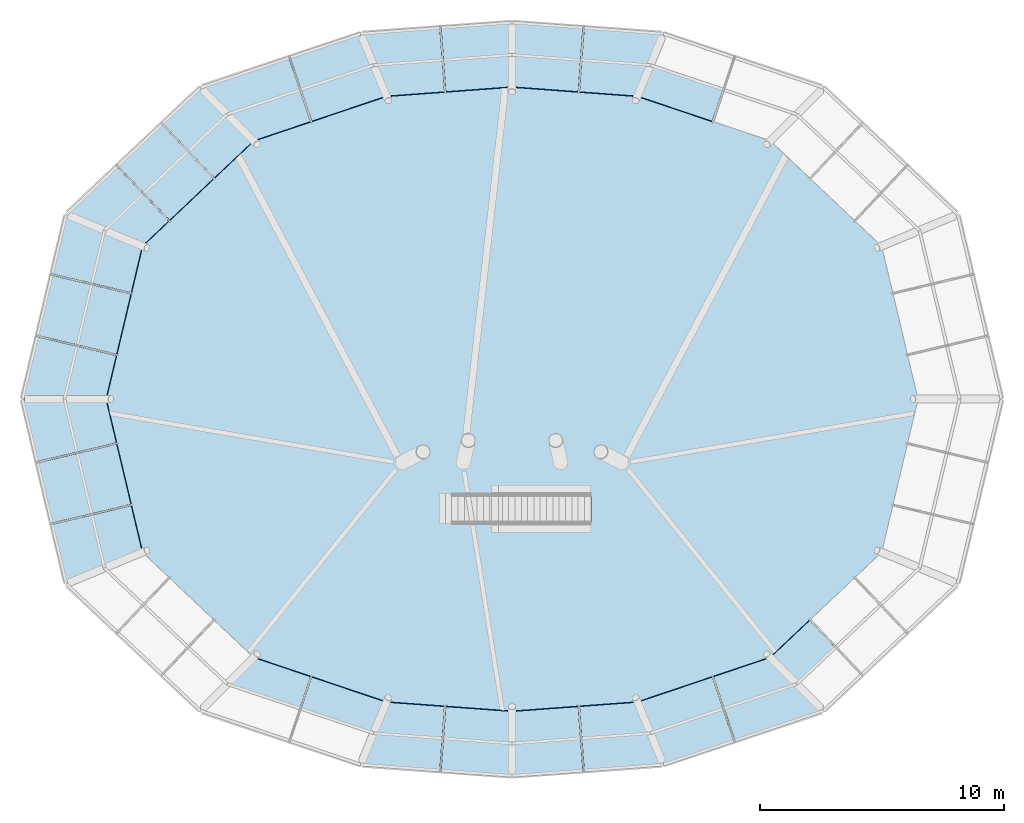
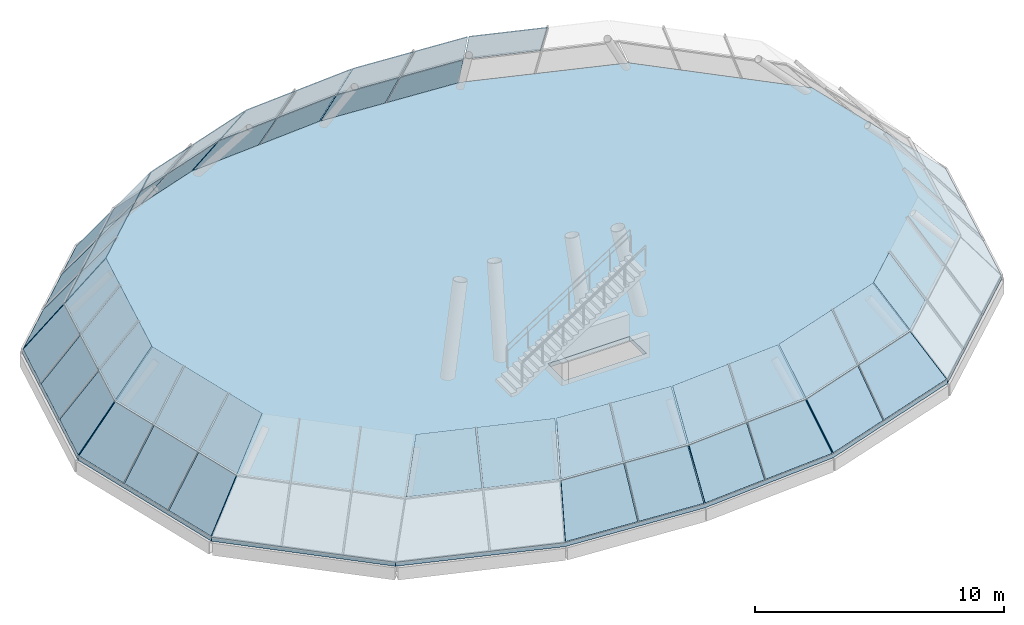
# One storey, part 3 of 5: 46 plates, 1 slab, 12 elements without a shape of their own.
"""IFC4 building model written with IfcOpenShell, lengths in metres."""

from ifc_helpers import new_model, si_unit, direction, frame, origin, place, context, subcontext, project, spatial, polyline, outline, extrude, material, layer, layer_set, type_object, element, aggregate, save


model = new_model("IFC4")

# Units and contexts
model_context = context("Model", 3, precision=1e-05, world=origin(), true_north=direction((0.0, 1.0)))
body_context = subcontext(model_context, "Body", "Model", "MODEL_VIEW")
ifc_project = project(units=[si_unit("LENGTHUNIT", "METRE"), si_unit("AREAUNIT", "SQUARE_METRE"), si_unit("VOLUMEUNIT", "CUBIC_METRE"), si_unit("PLANEANGLEUNIT", "RADIAN"), si_unit("MASSUNIT", "GRAM", prefix="KILO")], contexts=[model_context])

# Site, building, storey
site_placement = place(None, origin())
site = spatial("IfcSite", under=ifc_project, at=site_placement, CompositionType="ELEMENT")
building_placement = place(site_placement, origin())
building = spatial("IfcBuilding", under=site, at=building_placement, Name="Rubra Terraces Tower", CompositionType="ELEMENT")
storey_placement = place(building_placement, frame((0.0, 0.0, 320.39990234375)))
storey = spatial("IfcBuildingStorey", under=building, at=storey_placement, Name="L79", CompositionType="ELEMENT", Elevation=320.39990234375)

# Curtain wall, plate
ifc_material_1 = material(Name="Aluminium and glass", Category="aluminium")
curtain_wall_type = type_object("IfcCurtainWallType", Name="Curtain wall Crown glazing", PredefinedType="NOTDEFINED", material=ifc_material_1)
curtain_wall_1_placement = place(storey_placement, origin())
curtain_wall_1 = element("IfcCurtainWall", 1, at=curtain_wall_1_placement, inside=storey, type_object=curtain_wall_type, Name="Crown glazing L79 facet 3", PredefinedType="NOTDEFINED")
ifc_material_2 = material(Name="Clear glass, laminated", Category="glass")
ifc_layer_1 = layer(ifc_material_2, 0.028076171875)
ifc_layer_set_1 = layer_set([ifc_layer_1], Name="Clear glass, laminated")
plate_type = type_object("IfcPlateType", Name="Crown glazing glass panel 28", PredefinedType="CURTAIN_PANEL", material=ifc_layer_set_1)
plate_1_placement = place(storey_placement, frame((8.654541015625, 12.699951171875, 2.124267578125), z_axis=(0.265873405433, 0.7905624859, 0.55165413818), x_axis=(-0.947831075043, 0.318773043127, -1.2568954e-05)))
plate_1 = element("IfcPlate", 2, at=plate_1_placement, type_object=plate_type, Name="Crown glazing L79 facet 3 panel 2.2", PredefinedType="CURTAIN_PANEL", context=body_context, shape_type="SweptSolid", body=[
    extrude(outline(polyline([(0.0, 0.0), (3.113110056953987, 0.0), (3.205560927415248, 2.4599743524555526), (3.77549544849773e-05, 2.4598791346340434), (0.0, 0.0)])), origin(), (0.0, 0.0, -1.0), 0.028076171875),
])
aggregate(curtain_wall_1, [plate_1])

# Curtain wall, plates
curtain_wall_2_placement = place(storey_placement, origin())
curtain_wall_2 = element("IfcCurtainWall", 3, at=curtain_wall_2_placement, inside=storey, type_object=curtain_wall_type, Name="Crown glazing L79 facet 4", PredefinedType="NOTDEFINED")
plate_2_placement = place(storey_placement, frame((6.177734375, 14.989990234375, 0.025146484375), z_axis=(0.062459485352, 0.843890175302, 0.532867886739), x_axis=(-0.997272746356, 0.073804262949, 1.2104491e-05)))
plate_2 = element("IfcPlate", 4, at=plate_2_placement, type_object=plate_type, Name="Crown glazing L79 facet 4 panel 1.1", PredefinedType="CURTAIN_PANEL", context=body_context, shape_type="SweptSolid", body=[
    extrude(outline(polyline([(0.0, 0.0), (3.2194691003843943, 0.0), (3.219436906527069, 2.4226112217964824), (0.4256768519361816, 2.4226972383562213), (0.0, 0.0)])), origin(), (0.0, 0.0, -1.0), 0.028076171875),
])
plate_3_placement = place(storey_placement, frame((5.645263671875, 13.703369140625, 2.125), z_axis=(0.06244837314, 0.843937119899, 0.532794837014), x_axis=(-0.997274075278, 0.073786303602, 1.3406711e-05)))
plate_3 = element("IfcPlate", 5, at=plate_3_placement, type_object=plate_type, Name="Crown glazing L79 facet 4 panel 1.2", PredefinedType="CURTAIN_PANEL", context=body_context, shape_type="SweptSolid", body=[
    extrude(outline(polyline([(0.0, 0.0), (2.7834620403410297, -2.7755575615628914e-17), (2.783473776894464, 2.4224814967996213), (0.42572078532516233, 2.4225629470063192), (0.0, 0.0)])), origin(), (0.0, 0.0, -1.0), 0.028076171875),
])
plate_4_placement = place(storey_placement, frame((2.9072265625, 15.23193359375, 0.025146484375), z_axis=(0.062504398309, 0.843900385325, 0.532846450527), x_axis=(-0.997268240241, 0.073865127106, -2.17308e-06)))
plate_4 = element("IfcPlate", 6, at=plate_4_placement, type_object=plate_type, Name="Crown glazing L79 facet 4 panel 2.1", PredefinedType="CURTAIN_PANEL", context=body_context, shape_type="SweptSolid", body=[
    extrude(outline(polyline([(0.0, 0.0), (2.885324154160419, 2.7755575615628914e-17), (2.789706197306331, 2.422625792918463), (-0.00014024631210346635, 2.422611219026193), (0.0, 0.0)])), origin(), (0.0, 0.0, -1.0), 0.028076171875),
])
plate_5_placement = place(storey_placement, frame((2.809814453125, 13.913330078125, 2.125), z_axis=(0.062437603123, 0.843925646557, 0.53281427233), x_axis=(-0.997275163911, 0.073771587431, 1.8273287e-05)))
plate_5 = element("IfcPlate", 7, at=plate_5_placement, type_object=plate_type, Name="Crown glazing L79 facet 4 panel 2.2", PredefinedType="CURTAIN_PANEL", context=body_context, shape_type="SweptSolid", body=[
    extrude(outline(polyline([(0.0, 0.0), (2.787619132830344, -2.7755575615628914e-17), (2.6921821835669806, 2.422502490783431), (0.000266222986960197, 2.422620814236498), (0.0, 0.0)])), origin(), (0.0, 0.0, -1.0), 0.028076171875),
])
aggregate(curtain_wall_2, [plate_2, plate_3, plate_4, plate_5])

curtain_wall_3_placement = place(storey_placement, origin())
curtain_wall_3 = element("IfcCurtainWall", 8, at=curtain_wall_3_placement, inside=storey, type_object=curtain_wall_type, Name="Crown glazing L79 facet 5", PredefinedType="NOTDEFINED")
plate_6_placement = place(storey_placement, frame((-0.02978515625, 15.44482421875, 0.025390625), z_axis=(-0.062504752475, 0.843905167082, 0.532838835757), x_axis=(-0.997268240244, -0.073865127067, 2.173062e-06)))
plate_6 = element("IfcPlate", 9, at=plate_6_placement, type_object=plate_type, Name="Crown glazing L79 facet 5 panel 1.1", PredefinedType="CURTAIN_PANEL", context=body_context, shape_type="SweptSolid", body=[
    extrude(outline(polyline([(0.0, 0.0), (2.885324154160419, 1.3877787807814457e-17), (2.8854283318354415, 2.421731966970606), (0.0955818882170063, 2.4217465406546044), (0.0, 0.0)])), origin(), (0.0, 0.0, -1.0), 0.028076171875),
])
plate_7_placement = place(storey_placement, frame((-0.02978515625, 14.118896484375, 2.12548828125), z_axis=(-0.062473811844, 0.843905449909, 0.532842016406), x_axis=(-0.997270985927, -0.073828047704, 1.073267e-06)))
plate_7 = element("IfcPlate", 10, at=plate_7_placement, type_object=plate_type, Name="Crown glazing L79 facet 5 panel 1.2", PredefinedType="CURTAIN_PANEL", context=body_context, shape_type="SweptSolid", body=[
    extrude(outline(polyline([(0.0, 0.0), (2.787637148672109, -1.3877787807814457e-17), (2.7874476205837735, 2.421741572941655), (0.09553165572043543, 2.4217485227392874), (0.0, 0.0)])), origin(), (0.0, 0.0, -1.0), 0.028076171875),
])
plate_8_placement = place(storey_placement, frame((-2.967041015625, 15.227294921875, 0.025390625), z_axis=(-0.062462483104, 0.84389632013, 0.532857803805), x_axis=(-0.997272470695, -0.073807987877, -1.0932532e-05)))
plate_8 = element("IfcPlate", 11, at=plate_8_placement, type_object=plate_type, Name="Crown glazing L79 facet 5 panel 2.1", PredefinedType="CURTAIN_PANEL", context=body_context, shape_type="SweptSolid", body=[
    extrude(outline(polyline([(0.0, 0.0), (3.2192256254499596, 5.551115123125783e-17), (2.79376344194015, 2.421809653025454), (3.386928690577935e-06, 2.4217319683369056), (0.0, 0.0)])), origin(), (0.0, 0.0, -1.0), 0.028076171875),
])
plate_9_placement = place(storey_placement, frame((-2.869384765625, 13.90869140625, 2.12548828125), z_axis=(-0.062448453549, 0.843898020935, 0.53285675459), x_axis=(-0.997271921248, -0.073815407211, 2.737473e-05)))
plate_9 = element("IfcPlate", 12, at=plate_9_placement, type_object=plate_type, Name="Crown glazing L79 facet 5 panel 2.2", PredefinedType="CURTAIN_PANEL", context=body_context, shape_type="SweptSolid", body=[
    extrude(outline(polyline([(0.0, 0.0), (2.783236583382748, 0.0), (2.3578444835158074, 2.421695393025561), (0.000109511965523893, 2.4218617033536733), (0.0, 0.0)])), origin(), (0.0, 0.0, -1.0), 0.028076171875),
])
aggregate(curtain_wall_3, [plate_6, plate_7, plate_8, plate_9])

curtain_wall_4_placement = place(storey_placement, origin())
curtain_wall_4 = element("IfcCurtainWall", 13, at=curtain_wall_4_placement, inside=storey, type_object=curtain_wall_type, Name="Crown glazing L79 facet 6", PredefinedType="NOTDEFINED")
plate_10_placement = place(storey_placement, frame((-6.236083984375, 14.97802734375, 0.025146484375), z_axis=(-0.26588062941, 0.790565470129, 0.551646379798), x_axis=(-0.94783369714, -0.318765246624, -1.0555518e-05)))
plate_10 = element("IfcPlate", 14, at=plate_10_placement, type_object=plate_type, Name="Crown glazing L79 facet 6 panel 1.1", PredefinedType="CURTAIN_PANEL", context=body_context, shape_type="SweptSolid", body=[
    extrude(outline(polyline([(0.0, 0.0), (3.018534407647497, 0.0), (3.0183581737383376, 2.45790016108879), (-0.09243576965561436, 2.457822592528352), (0.0, 0.0)])), origin(), (0.0, 0.0, -1.0), 0.028076171875),
])
plate_11_placement = place(storey_placement, frame((-5.70361328125, 13.69189453125, 2.125), z_axis=(-0.265870478274, 0.790553782127, 0.551668021863), x_axis=(-0.94783107491, -0.318773043524, 1.2569132e-05)))
plate_11 = element("IfcPlate", 15, at=plate_11_placement, type_object=plate_type, Name="Crown glazing L79 facet 6 panel 1.2", PredefinedType="CURTAIN_PANEL", context=body_context, shape_type="SweptSolid", body=[
    extrude(outline(polyline([(0.0, 0.0), (3.1131100569540044, 0.0), (3.1132237877937015, 2.457857229023278), (-0.09229938466700746, 2.4579524492411684), (0.0, 0.0)])), origin(), (0.0, 0.0, -1.0), 0.028076171875),
])
plate_12_placement = place(storey_placement, frame((-9.15380859375, 13.996826171875, 0.025146484375), z_axis=(-0.265869351117, 0.790568862598, 0.551646953792), x_axis=(-0.947836241664, -0.318757680671, -1.286119e-06)))
plate_12 = element("IfcPlate", 16, at=plate_12_placement, type_object=plate_type, Name="Crown glazing L79 facet 6 panel 2.1", PredefinedType="CURTAIN_PANEL", context=body_context, shape_type="SweptSolid", body=[
    extrude(outline(polyline([(0.0, 0.0), (3.7935886131810843, -1.1102230246251565e-16), (3.1203531509623006, 2.4578678928030397), (6.33505300694738e-05, 2.457857231845669), (0.0, 0.0)])), origin(), (0.0, 0.0, -1.0), 0.028076171875),
])
plate_13_placement = place(storey_placement, frame((-8.711181640625, 12.680419921875, 2.125), z_axis=(-0.265865207874, 0.790531394461, 0.551702642385), x_axis=(-0.947829722461, -0.318777064719, 1.5101075e-05)))
plate_13 = element("IfcPlate", 17, at=plate_13_placement, type_object=plate_type, Name="Crown glazing L79 facet 6 panel 2.2", PredefinedType="CURTAIN_PANEL", context=body_context, shape_type="SweptSolid", body=[
    extrude(outline(polyline([(0.0, 0.0), (3.103845605216057, 1.1102230246251565e-16), (2.4304400631077945, 2.4579276246279744), (-2.8903566611822224e-05, 2.458027828468654), (0.0, 0.0)])), origin(), (0.0, 0.0, -1.0), 0.028076171875),
])
aggregate(curtain_wall_4, [plate_10, plate_11, plate_12, plate_13])

curtain_wall_5_placement = place(storey_placement, origin())
curtain_wall_5 = element("IfcCurtainWall", 18, at=curtain_wall_5_placement, inside=storey, type_object=curtain_wall_type, Name="Crown glazing L79 facet 7", PredefinedType="NOTDEFINED")
plate_14_placement = place(storey_placement, frame((-12.80029296875, 12.7578125, 0.024169921875), z_axis=(-0.552729231295, 0.584586290115, 0.593926987332), x_axis=(-0.726617321913, -0.687042405548, 2.1782516e-05)))
plate_14 = element("IfcPlate", 19, at=plate_14_placement, type_object=plate_type, Name="Crown glazing L79 facet 7 panel 1.1", PredefinedType="CURTAIN_PANEL", context=body_context, shape_type="SweptSolid", body=[
    extrude(outline(polyline([(0.0, 0.0), (2.099698539799522, 1.1102230246251565e-16), (2.099827250366498, 2.550234627945522), (-0.0423611444484513, 2.5503494779077482), (0.0, 0.0)])), origin(), (0.0, 0.0, -1.0), 0.028076171875),
])
plate_15_placement = place(storey_placement, frame((-11.70361328125, 11.6611328125, 2.124267578125), z_axis=(-0.552685564063, 0.584627985629, 0.593926582749), x_axis=(-0.7266692843, -0.686987445893, 2.0984688e-05)))
plate_15 = element("IfcPlate", 20, at=plate_15_placement, type_object=plate_type, Name="Crown glazing L79 facet 7 panel 1.2", PredefinedType="CURTAIN_PANEL", context=body_context, shape_type="SweptSolid", body=[
    extrude(outline(polyline([(0.0, 0.0), (2.1432237916822023, 1.1102230246251565e-16), (2.1432363091917948, 2.5502346312012274), (-0.04247735191603371, 2.550347545099179), (0.0, 0.0)])), origin(), (0.0, 0.0, -1.0), 0.028076171875),
])
plate_16_placement = place(storey_placement, frame((-14.36962890625, 11.274169921875, 0.024169921875), z_axis=(-0.552689645949, 0.58460390155, 0.59394649048), x_axis=(-0.726662790219, -0.68699431534, 9.37526e-07)))
plate_16 = element("IfcPlate", 21, at=plate_16_placement, type_object=plate_type, Name="Crown glazing L79 facet 7 panel 2.1", PredefinedType="CURTAIN_PANEL", context=body_context, shape_type="SweptSolid", body=[
    extrude(outline(polyline([(0.0, 0.0), (2.4680762639133387, 0.0), (2.467884559280071, 2.550334247289919), (0.000153426496019425, 2.5503399992150153), (0.0, 0.0)])), origin(), (0.0, 0.0, -1.0), 0.028076171875),
])
plate_17_placement = place(storey_placement, frame((-13.3046875, 10.1474609375, 2.124267578125), z_axis=(-0.552689645949, 0.58460390155, 0.59394649048), x_axis=(-0.726663741296, -0.686993309345, -9.37658e-07)))
plate_17 = element("IfcPlate", 22, at=plate_17_placement, type_object=plate_type, Name="Crown glazing L79 facet 7 panel 2.2", PredefinedType="CURTAIN_PANEL", context=body_context, shape_type="SweptSolid", body=[
    extrude(outline(polyline([(0.0, 0.0), (2.467731132790755, 0.0), (2.467878614812333, 2.5503399995657023), (-0.00019764909430101875, 2.5503342468361554), (0.0, 0.0)])), origin(), (0.0, 0.0, -1.0), 0.028076171875),
])
plate_18_placement = place(storey_placement, frame((-16.20654296875, 9.537353515625, 0.024169921875), z_axis=(-0.552697388637, 0.584647494603, 0.593896374503), x_axis=(-0.72668190115, -0.686974100329, 4.205244e-06)))
plate_18 = element("IfcPlate", 23, at=plate_18_placement, type_object=plate_type, Name="Crown glazing L79 facet 7 panel 3.1", PredefinedType="CURTAIN_PANEL", context=body_context, shape_type="SweptSolid", body=[
    extrude(outline(polyline([(0.0, 0.0), (2.8288514273204908, -1.1102230246251565e-16), (2.1507766378928252, 2.55020860360238), (-4.972596352350489e-05, 2.550234631792746), (0.0, 0.0)])), origin(), (0.0, 0.0, -1.0), 0.028076171875),
])
plate_19_placement = place(storey_placement, frame((-15.1416015625, 8.410888671875, 2.124267578125), z_axis=(-0.55271783548, 0.584600144581, 0.593923955822), x_axis=(-0.726653079394, -0.687004586488, -1.8750884e-05)))
plate_19 = element("IfcPlate", 24, at=plate_19_placement, type_object=plate_type, Name="Crown glazing L79 facet 7 panel 3.2", PredefinedType="CURTAIN_PANEL", context=body_context, shape_type="SweptSolid", body=[
    extrude(outline(polyline([(0.0, 0.0), (2.134763236695121, -1.1102230246251565e-16), (1.4568726137539068, 2.5503183418721838), (-3.328391538106454e-05, 2.5502346312484256), (0.0, 0.0)])), origin(), (0.0, 0.0, -1.0), 0.028076171875),
])
aggregate(curtain_wall_5, [plate_14, plate_15, plate_16, plate_17, plate_18, plate_19])

curtain_wall_6_placement = place(storey_placement, origin())
curtain_wall_6 = element("IfcCurtainWall", 25, at=curtain_wall_6_placement, inside=storey, type_object=curtain_wall_type, Name="Crown glazing L79 facet 8", PredefinedType="NOTDEFINED")
plate_20_placement = place(storey_placement, frame((-18.29150390625, 7.544677734375, 0.0234375), z_axis=(-0.760298230127, 0.18047751087, 0.623998773505), x_axis=(-0.230968792946, -0.972961158803, -1.2109603e-05)))
plate_20 = element("IfcPlate", 26, at=plate_20_placement, type_object=plate_type, Name="Crown glazing L79 facet 8 panel 1.1", PredefinedType="CURTAIN_PANEL", context=body_context, shape_type="SweptSolid", body=[
    extrude(outline(polyline([(0.0, 0.0), (2.470118094816218, 5.551115123125783e-17), (2.470253056410488, 2.6278860672539683), (0.2638860299873345, 2.627813596632652), (0.0, 0.0)])), origin(), (0.0, 0.0, -1.0), 0.028076171875),
])
plate_21_placement = place(storey_placement, frame((-16.72216796875, 6.89453125, 2.123291015625), z_axis=(-0.760288422501, 0.180513732828, 0.62400024589), x_axis=(-0.231015558691, -0.972950056012, -1.2192662e-05)))
plate_21 = element("IfcPlate", 27, at=plate_21_placement, type_object=plate_type, Name="Crown glazing L79 facet 8 panel 1.2", PredefinedType="CURTAIN_PANEL", context=body_context, shape_type="SweptSolid", body=[
    extrude(outline(polyline([(0.0, 0.0), (2.200146602614525, 0.0), (2.2002025739048396, 2.6278860702091205), (0.26380704515298703, 2.6278215272060086), (0.0, 0.0)])), origin(), (0.0, 0.0, -1.0), 0.028076171875),
])
plate_22_placement = place(storey_placement, frame((-18.8759765625, 5.0830078125, 0.0234375), z_axis=(-0.760279404869, 0.180530173673, 0.62400647667), x_axis=(-0.231024385608, -0.972947960183, 5.419537e-06)))
plate_22 = element("IfcPlate", 28, at=plate_22_placement, type_object=plate_type, Name="Crown glazing L79 facet 8 panel 2.1", PredefinedType="CURTAIN_PANEL", context=body_context, shape_type="SweptSolid", body=[
    extrude(outline(polyline([(0.0, 0.0), (2.5373875300828943, 5.551115123125783e-17), (2.5372272542082657, 2.6278508754480914), (7.7260248462686e-05, 2.627886069928689), (0.0, 0.0)])), origin(), (0.0, 0.0, -1.0), 0.028076171875),
])
plate_23_placement = place(storey_placement, frame((-17.244384765625, 4.695556640625, 2.123291015625), z_axis=(-0.760309296695, 0.180499675292, 0.623978878311), x_axis=(-0.230961110616, -0.972962982125, 2.8242572e-05)))
plate_23 = element("IfcPlate", 29, at=plate_23_placement, type_object=plate_type, Name="Crown glazing L79 facet 8 panel 2.2", PredefinedType="CURTAIN_PANEL", context=body_context, shape_type="SweptSolid", body=[
    extrude(outline(polyline([(0.0, 0.0), (2.537331137872412, -5.551115123125783e-17), (2.537380756228182, 2.627702658409702), (0.0002307711564308826, 2.6278860585145956), (0.0, 0.0)])), origin(), (0.0, 0.0, -1.0), 0.028076171875),
])
plate_24_placement = place(storey_placement, frame((-19.47607421875, 2.555908203125, 0.0234375), z_axis=(-0.760287490674, 0.180521619795, 0.623999099608), x_axis=(-0.231007162488, -0.972952049565, 1.1256547e-05)))
plate_24 = element("IfcPlate", 30, at=plate_24_placement, type_object=plate_type, Name="Crown glazing L79 facet 8 panel 3.1", PredefinedType="CURTAIN_PANEL", context=body_context, shape_type="SweptSolid", body=[
    extrude(outline(polyline([(0.0, 0.0), (2.5968421287060863, -5.551115123125783e-17), (2.207548241050123, 2.6278168618073714), (0.00011827462926713005, 2.62788606807766), (0.0, 0.0)])), origin(), (0.0, 0.0, -1.0), 0.028076171875),
])
plate_25_placement = place(storey_placement, frame((-17.84423828125, 2.16845703125, 2.123291015625), z_axis=(-0.760277535802, 0.180574243823, 0.623996002409), x_axis=(-0.231079615015, -0.972934844432, 3.739679e-06)))
plate_25 = element("IfcPlate", 31, at=plate_25_placement, type_object=plate_type, Name="Crown glazing L79 facet 8 panel 3.2", PredefinedType="CURTAIN_PANEL", context=body_context, shape_type="SweptSolid", body=[
    extrude(outline(polyline([(0.0, 0.0), (2.1986649867583408, -5.551115123125783e-17), (1.809471091942573, 2.6278316848742564), (-0.00025680809809003704, 2.627850867846818), (0.0, 0.0)])), origin(), (0.0, 0.0, -1.0), 0.028076171875),
])
aggregate(curtain_wall_6, [plate_20, plate_21, plate_22, plate_23, plate_24, plate_25])

curtain_wall_7_placement = place(storey_placement, origin())
curtain_wall_7 = element("IfcCurtainWall", 32, at=curtain_wall_7_placement, inside=storey, type_object=curtain_wall_type, Name="Crown glazing L79 facet 9", PredefinedType="NOTDEFINED")
plate_26_placement = place(storey_placement, frame((-20.075927734375, -0.029296875, 0.023193359375), z_axis=(-0.760279804319, -0.180519794758, 0.6240089926), x_axis=(0.231007162211, -0.972952049631, -1.1256612e-05)))
plate_26 = element("IfcPlate", 33, at=plate_26_placement, type_object=plate_type, Name="Crown glazing L79 facet 9 panel 1.1", PredefinedType="CURTAIN_PANEL", context=body_context, shape_type="SweptSolid", body=[
    extrude(outline(polyline([(0.0, 0.0), (2.596842128706095, 0.0), (2.596780248961426, 2.6282250699297824), (0.38935028254059456, 2.628155862562285), (0.0, 0.0)])), origin(), (0.0, 0.0, -1.0), 0.028076171875),
])
plate_27_placement = place(storey_placement, frame((-18.352294921875, -0.029296875, 2.123291015625), z_axis=(-0.760287080752, -0.180481320284, 0.624011256205), x_axis=(0.230968271642, -0.972961282628, 1.371961e-06)))
plate_27 = element("IfcPlate", 34, at=plate_27_placement, type_object=plate_type, Name="Crown glazing L79 facet 9 panel 1.2", PredefinedType="CURTAIN_PANEL", context=body_context, shape_type="SweptSolid", body=[
    extrude(outline(polyline([(0.0, 0.0), (2.1986085848145884, 0.0), (2.1987446236406516, 2.6281898813609894), (0.38907312672582317, 2.6281969188533925), (0.0, 0.0)])), origin(), (0.0, 0.0, -1.0), 0.028076171875),
])
plate_28_placement = place(storey_placement, frame((-19.462158203125, -2.6142578125, 0.023193359375), z_axis=(-0.760301607998, -0.180497849973, 0.623988774763), x_axis=(0.23096110992, -0.97296298229, -2.8242734e-05)))
plate_28 = element("IfcPlate", 35, at=plate_28_placement, type_object=plate_type, Name="Crown glazing L79 facet 9 panel 2.1", PredefinedType="CURTAIN_PANEL", context=body_context, shape_type="SweptSolid", body=[
    extrude(outline(polyline([(0.0, 0.0), (2.537331137872465, -5.551115123125783e-17), (2.537156745304173, 2.6282250627807957), (6.76023257962896e-06, 2.628041659767133), (0.0, 0.0)])), origin(), (0.0, 0.0, -1.0), 0.028076171875),
])
plate_29_placement = place(storey_placement, frame((-17.83056640625, -2.226806640625, 2.123291015625), z_axis=(-0.760268635084, -0.180518689956, 0.624022920319), x_axis=(0.231017782524, -0.972949528063, 0.0)))
plate_29 = element("IfcPlate", 36, at=plate_29_placement, type_object=plate_type, Name="Crown glazing L79 facet 9 panel 2.2", PredefinedType="CURTAIN_PANEL", context=body_context, shape_type="SweptSolid", body=[
    extrude(outline(polyline([(0.0, 0.0), (2.5373875301785924, 1.1102230246251565e-16), (2.537366670564548, 2.6282250709929382), (-2.085961404437504e-05, 2.6282250709929382), (0.0, 0.0)])), origin(), (0.0, 0.0, -1.0), 0.028076171875),
])
plate_30_placement = place(storey_placement, frame((-18.8623046875, -5.141357421875, 0.023193359375), z_axis=(-0.760262229595, -0.180560239761, 0.6240187033), x_axis=(0.231072743579, -0.972936476427, 3.582867e-06)))
plate_30 = element("IfcPlate", 37, at=plate_30_placement, type_object=plate_type, Name="Crown glazing L79 facet 9 panel 3.1", PredefinedType="CURTAIN_PANEL", context=body_context, shape_type="SweptSolid", body=[
    extrude(outline(polyline([(0.0, 0.0), (2.470174499129476, 0.0), (2.206265031503334, 2.628203628103767), (7.914543437378456e-05, 2.6282250698457714), (0.0, 0.0)])), origin(), (0.0, 0.0, -1.0), 0.028076171875),
])
plate_31_placement = place(storey_placement, frame((-17.230712890625, -4.75390625, 2.123291015625), z_axis=(-0.760245259166, -0.180538650348, 0.624045624651), x_axis=(0.231031859095, -0.972946185364, -2.1657989e-05)))
plate_31 = element("IfcPlate", 38, at=plate_31_placement, type_object=plate_type, Name="Crown glazing L79 facet 9 panel 3.2", PredefinedType="CURTAIN_PANEL", context=body_context, shape_type="SweptSolid", body=[
    extrude(outline(polyline([(0.0, 0.0), (2.2003841382058753, -5.551115123125783e-17), (1.9364103209302188, 2.6283397317016632), (-4.161026457054911e-05, 2.6282250696368776), (0.0, 0.0)])), origin(), (0.0, 0.0, -1.0), 0.028076171875),
])
aggregate(curtain_wall_7, [plate_26, plate_27, plate_28, plate_29, plate_30, plate_31])

curtain_wall_8_placement = place(storey_placement, origin())
curtain_wall_8 = element("IfcCurtainWall", 39, at=curtain_wall_8_placement, inside=storey, type_object=curtain_wall_type, Name="Crown glazing L79 facet 11", PredefinedType="NOTDEFINED")
plate_32_placement = place(storey_placement, frame((-11.6533203125, -11.69140625, 2.124267578125), z_axis=(-0.265881296045, -0.790542436413, 0.551679066707), x_axis=(0.947829037005, -0.318779103143, 2.907327e-06)))
plate_32 = element("IfcPlate", 40, at=plate_32_placement, type_object=plate_type, Name="Crown glazing L79 facet 11 panel 1.2", PredefinedType="CURTAIN_PANEL", context=body_context, shape_type="SweptSolid", body=[
    extrude(outline(polyline([(0.0, 0.0), (3.10407700927554, -1.1102230246251565e-16), (3.103828611631115, 2.459963856722478), (0.6738224521137285, 2.4599831472483875), (0.0, 0.0)])), origin(), (0.0, 0.0, -1.0), 0.028076171875),
])
plate_33_placement = place(storey_placement, frame((-8.654541015625, -12.699951171875, 2.124267578125), z_axis=(-0.265873405433, -0.7905624859, 0.55165413818), x_axis=(0.947831075043, -0.318773043127, -1.2568954e-05)))
plate_33 = element("IfcPlate", 41, at=plate_33_placement, type_object=plate_type, Name="Crown glazing L79 facet 11 panel 2.2", PredefinedType="CURTAIN_PANEL", context=body_context, shape_type="SweptSolid", body=[
    extrude(outline(polyline([(0.0, 0.0), (3.113110056953987, 0.0), (3.205560927415248, 2.4599743524555526), (3.77549544849773e-05, 2.4598791346340434), (0.0, 0.0)])), origin(), (0.0, 0.0, -1.0), 0.028076171875),
])
aggregate(curtain_wall_8, [plate_32, plate_33])

curtain_wall_9_placement = place(storey_placement, origin())
curtain_wall_9 = element("IfcCurtainWall", 42, at=curtain_wall_9_placement, inside=storey, type_object=curtain_wall_type, Name="Crown glazing L79 facet 12", PredefinedType="NOTDEFINED")
plate_34_placement = place(storey_placement, frame((-6.177734375, -14.989990234375, 0.025146484375), z_axis=(-0.062459485352, -0.843890175302, 0.532867886739), x_axis=(0.997272746356, -0.073804262949, 1.2104491e-05)))
plate_34 = element("IfcPlate", 43, at=plate_34_placement, type_object=plate_type, Name="Crown glazing L79 facet 12 panel 1.1", PredefinedType="CURTAIN_PANEL", context=body_context, shape_type="SweptSolid", body=[
    extrude(outline(polyline([(0.0, 0.0), (3.2194691003843943, 0.0), (3.219436906527069, 2.4226112217964824), (0.4256768519361816, 2.4226972383562213), (0.0, 0.0)])), origin(), (0.0, 0.0, -1.0), 0.028076171875),
])
plate_35_placement = place(storey_placement, frame((-5.645263671875, -13.703369140625, 2.125), z_axis=(-0.06244837314, -0.843937119899, 0.532794837014), x_axis=(0.997274075278, -0.073786303602, 1.3406711e-05)))
plate_35 = element("IfcPlate", 44, at=plate_35_placement, type_object=plate_type, Name="Crown glazing L79 facet 12 panel 1.2", PredefinedType="CURTAIN_PANEL", context=body_context, shape_type="SweptSolid", body=[
    extrude(outline(polyline([(0.0, 0.0), (2.7834620403410297, -2.7755575615628914e-17), (2.783473776894464, 2.4224814967996213), (0.42572078532516233, 2.4225629470063192), (0.0, 0.0)])), origin(), (0.0, 0.0, -1.0), 0.028076171875),
])
plate_36_placement = place(storey_placement, frame((-2.9072265625, -15.23193359375, 0.025146484375), z_axis=(-0.062504398309, -0.843900385325, 0.532846450527), x_axis=(0.997268240241, -0.073865127106, -2.17308e-06)))
plate_36 = element("IfcPlate", 45, at=plate_36_placement, type_object=plate_type, Name="Crown glazing L79 facet 12 panel 2.1", PredefinedType="CURTAIN_PANEL", context=body_context, shape_type="SweptSolid", body=[
    extrude(outline(polyline([(0.0, 0.0), (2.885324154160419, 2.7755575615628914e-17), (2.789706197306331, 2.422625792918463), (-0.00014024631210346635, 2.422611219026193), (0.0, 0.0)])), origin(), (0.0, 0.0, -1.0), 0.028076171875),
])
plate_37_placement = place(storey_placement, frame((-2.809814453125, -13.913330078125, 2.125), z_axis=(-0.062437603123, -0.843925646557, 0.53281427233), x_axis=(0.997275163911, -0.073771587431, 1.8273287e-05)))
plate_37 = element("IfcPlate", 46, at=plate_37_placement, type_object=plate_type, Name="Crown glazing L79 facet 12 panel 2.2", PredefinedType="CURTAIN_PANEL", context=body_context, shape_type="SweptSolid", body=[
    extrude(outline(polyline([(0.0, 0.0), (2.787619132830344, -2.7755575615628914e-17), (2.6921821835669806, 2.422502490783431), (0.000266222986960197, 2.422620814236498), (0.0, 0.0)])), origin(), (0.0, 0.0, -1.0), 0.028076171875),
])
aggregate(curtain_wall_9, [plate_34, plate_35, plate_36, plate_37])

curtain_wall_10_placement = place(storey_placement, origin())
curtain_wall_10 = element("IfcCurtainWall", 47, at=curtain_wall_10_placement, inside=storey, type_object=curtain_wall_type, Name="Crown glazing L79 facet 13", PredefinedType="NOTDEFINED")
plate_38_placement = place(storey_placement, frame((0.02978515625, -15.44482421875, 0.025390625), z_axis=(0.062504752475, -0.843905167082, 0.532838835757), x_axis=(0.997268240244, 0.073865127067, 2.173062e-06)))
plate_38 = element("IfcPlate", 48, at=plate_38_placement, type_object=plate_type, Name="Crown glazing L79 facet 13 panel 1.1", PredefinedType="CURTAIN_PANEL", context=body_context, shape_type="SweptSolid", body=[
    extrude(outline(polyline([(0.0, 0.0), (2.885324154160419, 1.3877787807814457e-17), (2.8854283318354415, 2.421731966970606), (0.0955818882170063, 2.4217465406546044), (0.0, 0.0)])), origin(), (0.0, 0.0, -1.0), 0.028076171875),
])
plate_39_placement = place(storey_placement, frame((0.02978515625, -14.118896484375, 2.12548828125), z_axis=(0.062473811844, -0.843905449909, 0.532842016406), x_axis=(0.997270985927, 0.073828047704, 1.073267e-06)))
plate_39 = element("IfcPlate", 49, at=plate_39_placement, type_object=plate_type, Name="Crown glazing L79 facet 13 panel 1.2", PredefinedType="CURTAIN_PANEL", context=body_context, shape_type="SweptSolid", body=[
    extrude(outline(polyline([(0.0, 0.0), (2.787637148672109, -1.3877787807814457e-17), (2.7874476205837735, 2.421741572941655), (0.09553165572043543, 2.4217485227392874), (0.0, 0.0)])), origin(), (0.0, 0.0, -1.0), 0.028076171875),
])
plate_40_placement = place(storey_placement, frame((2.967041015625, -15.227294921875, 0.025390625), z_axis=(0.062462483104, -0.84389632013, 0.532857803805), x_axis=(0.997272470695, 0.073807987877, -1.0932532e-05)))
plate_40 = element("IfcPlate", 50, at=plate_40_placement, type_object=plate_type, Name="Crown glazing L79 facet 13 panel 2.1", PredefinedType="CURTAIN_PANEL", context=body_context, shape_type="SweptSolid", body=[
    extrude(outline(polyline([(0.0, 0.0), (3.2192256254499596, 5.551115123125783e-17), (2.79376344194015, 2.421809653025454), (3.386928690577935e-06, 2.4217319683369056), (0.0, 0.0)])), origin(), (0.0, 0.0, -1.0), 0.028076171875),
])
plate_41_placement = place(storey_placement, frame((2.869384765625, -13.90869140625, 2.12548828125), z_axis=(0.062448453549, -0.843898020935, 0.53285675459), x_axis=(0.997271921248, 0.073815407211, 2.737473e-05)))
plate_41 = element("IfcPlate", 51, at=plate_41_placement, type_object=plate_type, Name="Crown glazing L79 facet 13 panel 2.2", PredefinedType="CURTAIN_PANEL", context=body_context, shape_type="SweptSolid", body=[
    extrude(outline(polyline([(0.0, 0.0), (2.783236583382748, 0.0), (2.3578444835158074, 2.421695393025561), (0.000109511965523893, 2.4218617033536733), (0.0, 0.0)])), origin(), (0.0, 0.0, -1.0), 0.028076171875),
])
aggregate(curtain_wall_10, [plate_38, plate_39, plate_40, plate_41])

curtain_wall_11_placement = place(storey_placement, origin())
curtain_wall_11 = element("IfcCurtainWall", 52, at=curtain_wall_11_placement, inside=storey, type_object=curtain_wall_type, Name="Crown glazing L79 facet 14", PredefinedType="NOTDEFINED")
plate_42_placement = place(storey_placement, frame((6.236083984375, -14.97802734375, 0.025146484375), z_axis=(0.26588062941, -0.790565470129, 0.551646379798), x_axis=(0.94783369714, 0.318765246624, -1.0555518e-05)))
plate_42 = element("IfcPlate", 53, at=plate_42_placement, type_object=plate_type, Name="Crown glazing L79 facet 14 panel 1.1", PredefinedType="CURTAIN_PANEL", context=body_context, shape_type="SweptSolid", body=[
    extrude(outline(polyline([(0.0, 0.0), (3.018534407647497, 0.0), (3.0183581737383376, 2.45790016108879), (-0.09243576965561436, 2.457822592528352), (0.0, 0.0)])), origin(), (0.0, 0.0, -1.0), 0.028076171875),
])
plate_43_placement = place(storey_placement, frame((5.70361328125, -13.69189453125, 2.125), z_axis=(0.265870478274, -0.790553782127, 0.551668021863), x_axis=(0.94783107491, 0.318773043524, 1.2569132e-05)))
plate_43 = element("IfcPlate", 54, at=plate_43_placement, type_object=plate_type, Name="Crown glazing L79 facet 14 panel 1.2", PredefinedType="CURTAIN_PANEL", context=body_context, shape_type="SweptSolid", body=[
    extrude(outline(polyline([(0.0, 0.0), (3.1131100569540044, 0.0), (3.1132237877937015, 2.457857229023278), (-0.09229938466700746, 2.4579524492411684), (0.0, 0.0)])), origin(), (0.0, 0.0, -1.0), 0.028076171875),
])
plate_44_placement = place(storey_placement, frame((9.15380859375, -13.996826171875, 0.025146484375), z_axis=(0.265869351117, -0.790568862598, 0.551646953792), x_axis=(0.947836241664, 0.318757680671, -1.286119e-06)))
plate_44 = element("IfcPlate", 55, at=plate_44_placement, type_object=plate_type, Name="Crown glazing L79 facet 14 panel 2.1", PredefinedType="CURTAIN_PANEL", context=body_context, shape_type="SweptSolid", body=[
    extrude(outline(polyline([(0.0, 0.0), (3.7935886131810843, -1.1102230246251565e-16), (3.1203531509623006, 2.4578678928030397), (6.33505300694738e-05, 2.457857231845669), (0.0, 0.0)])), origin(), (0.0, 0.0, -1.0), 0.028076171875),
])
plate_45_placement = place(storey_placement, frame((8.711181640625, -12.680419921875, 2.125), z_axis=(0.265865207874, -0.790531394461, 0.551702642385), x_axis=(0.947829722461, 0.318777064719, 1.5101075e-05)))
plate_45 = element("IfcPlate", 56, at=plate_45_placement, type_object=plate_type, Name="Crown glazing L79 facet 14 panel 2.2", PredefinedType="CURTAIN_PANEL", context=body_context, shape_type="SweptSolid", body=[
    extrude(outline(polyline([(0.0, 0.0), (3.103845605216057, 1.1102230246251565e-16), (2.4304400631077945, 2.4579276246279744), (-2.8903566611822224e-05, 2.458027828468654), (0.0, 0.0)])), origin(), (0.0, 0.0, -1.0), 0.028076171875),
])
aggregate(curtain_wall_11, [plate_42, plate_43, plate_44, plate_45])

# Curtain wall, plate
curtain_wall_12_placement = place(storey_placement, origin())
curtain_wall_12 = element("IfcCurtainWall", 57, at=curtain_wall_12_placement, inside=storey, type_object=curtain_wall_type, Name="Crown glazing L79 facet 15", PredefinedType="NOTDEFINED")
plate_46_placement = place(storey_placement, frame((11.70361328125, -11.6611328125, 2.124267578125), z_axis=(0.552685564063, -0.584627985629, 0.593926582749), x_axis=(0.7266692843, 0.686987445893, 2.0984688e-05)))
plate_46 = element("IfcPlate", 58, at=plate_46_placement, type_object=plate_type, Name="Crown glazing L79 facet 15 panel 1.2", PredefinedType="CURTAIN_PANEL", context=body_context, shape_type="SweptSolid", body=[
    extrude(outline(polyline([(0.0, 0.0), (2.1432237916822023, 1.1102230246251565e-16), (2.1432363091917948, 2.5502346312012274), (-0.04247735191603371, 2.550347545099179), (0.0, 0.0)])), origin(), (0.0, 0.0, -1.0), 0.028076171875),
])
aggregate(curtain_wall_12, [plate_46])

# Slab
ifc_material_3 = material(Name="Concrete C40", Category="concrete")
ifc_layer_2 = layer(ifc_material_3, 0.199951171875)
ifc_layer_set_2 = layer_set([ifc_layer_2], Name="Concrete C40")
slab_type = type_object("IfcSlabType", Name="ROOF SLAB 200 COMPOSITE", PredefinedType="ROOF", material=ifc_layer_set_2)
slab_placement = place(storey_placement, frame((0.0, 0.0, -0.199951171875)))
element("IfcSlab", 59, at=slab_placement, inside=storey, type_object=slab_type, Name="CROWN DECK SLAB L79", PredefinedType="ROOF", context=body_context, shape_type="SweptSolid", body=[
    extrude(outline(polyline([(18.302001953125, -7.5810546875), (20.10205078125, 0.0), (18.302001953125, 7.5810546875), (12.791015625, 12.791015625), (6.214111328125, 15.0029296875), (0.0, 15.462890625), (-6.214111328125, 15.0029296875), (-12.791015625, 12.791015625), (-18.302001953125, 7.5810546875), (-20.10205078125, 0.0), (-18.302001953125, -7.5810546875), (-12.791015625, -12.791015625), (-6.214111328125, -15.0029296875), (0.0, -15.462890625), (6.214111328125, -15.0029296875), (12.791015625, -12.791015625), (18.302001953125, -7.5810546875)]), holes=[polyline([(3.238037109375, -5.175048828125), (-0.5458984375, -5.175048828125), (-0.5458984375, -3.824951171875), (3.238037109375, -3.824951171875), (3.238037109375, -5.175048828125)])]), origin(), (0.0, 0.0, 1.0), 0.199951171875),
])

save(model, "model.ifc")
